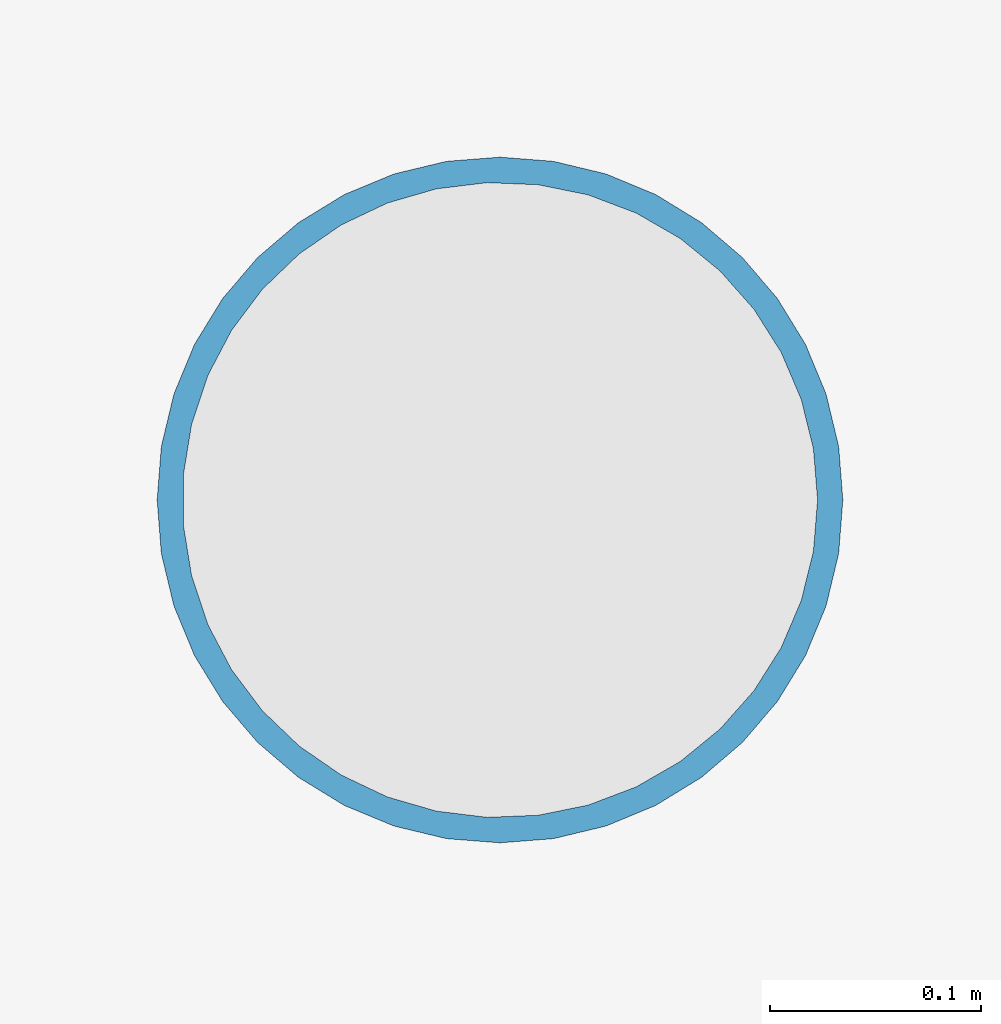
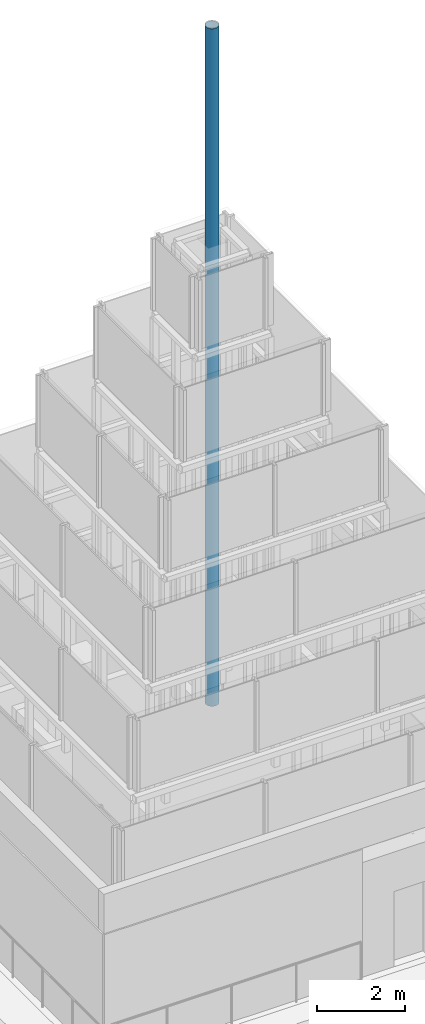
# One storey, part 37 of 62: 1 member.
"""IFC4 building model written with IfcOpenShell, lengths in metres."""

from ifc_helpers import new_model, si_unit, direction, frame, origin, origin_2d, place, context, subcontext, project, spatial, hollow_circle, extrude, material, material_profile, profile_set, type_object, element, save


model = new_model("IFC4")

# Units and contexts
model_context = context("Model", 3, precision=1e-05, world=origin(), true_north=direction((0.0, 1.0)))
body_context = subcontext(model_context, "Body", "Model", "MODEL_VIEW")
ifc_project = project(units=[si_unit("LENGTHUNIT", "METRE"), si_unit("AREAUNIT", "SQUARE_METRE"), si_unit("VOLUMEUNIT", "CUBIC_METRE"), si_unit("PLANEANGLEUNIT", "RADIAN"), si_unit("MASSUNIT", "GRAM", prefix="KILO")], contexts=[model_context])

# Site, building, storey
site_placement = place(None, origin())
site = spatial("IfcSite", under=ifc_project, at=site_placement, CompositionType="ELEMENT")
building_placement = place(site_placement, origin())
building = spatial("IfcBuilding", under=site, at=building_placement, Name="Altepetl Exchange Towers", CompositionType="ELEMENT")
storey_placement = place(building_placement, frame((0.0, 0.0, 210.0)))
storey = spatial("IfcBuildingStorey", under=building, at=storey_placement, Name="L53", CompositionType="ELEMENT", Elevation=210.0)

# Member
ifc_material = material(Name="Steel S355", Category="steel")
ifc_material_profile = material_profile(ifc_material, hollow_circle(Radius=0.162109375, WallThickness=0.011962890625, at=origin_2d()), Name="Mast tube 324x12 steel")
ifc_profile_set = profile_set([ifc_material_profile], Name="Steel S355")
member_type = type_object("IfcMemberType", Name="Mast tube 324x12 steel", PredefinedType="POST", material=ifc_profile_set)
member_placement = place(storey_placement, frame((110.25, 42.75, 3.60009765625)))
element("IfcMember", 1, at=member_placement, inside=storey, type_object=member_type, Name="SPIRE mast", PredefinedType="POST", context=body_context, shape_type="SweptSolid", body=[
    extrude(hollow_circle(Radius=0.162109375, WallThickness=0.011962890625, at=origin_2d()), origin(), (0.0, 0.0, 1.0), 18.89990234375),
])

save(model, "model.ifc")
